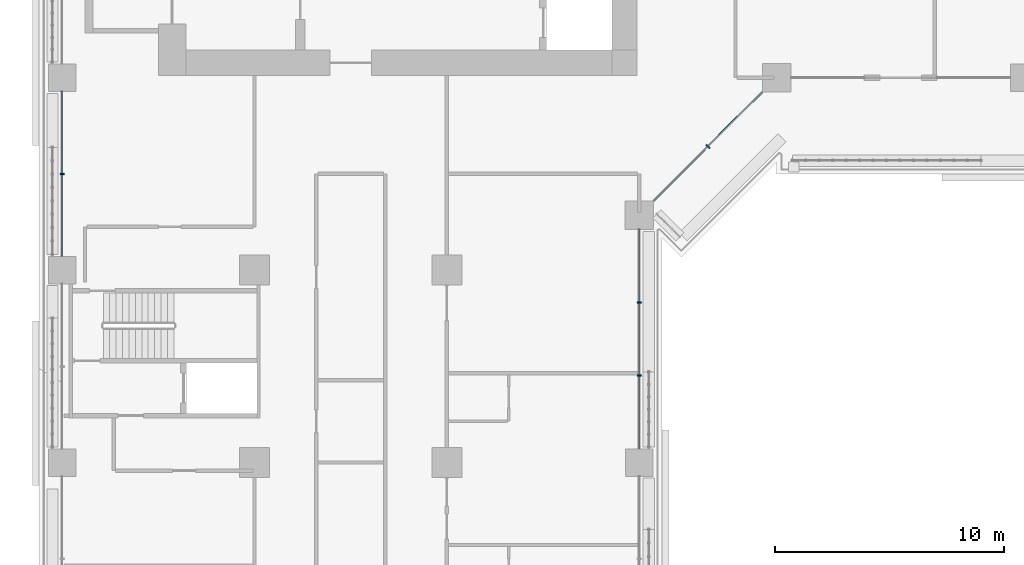
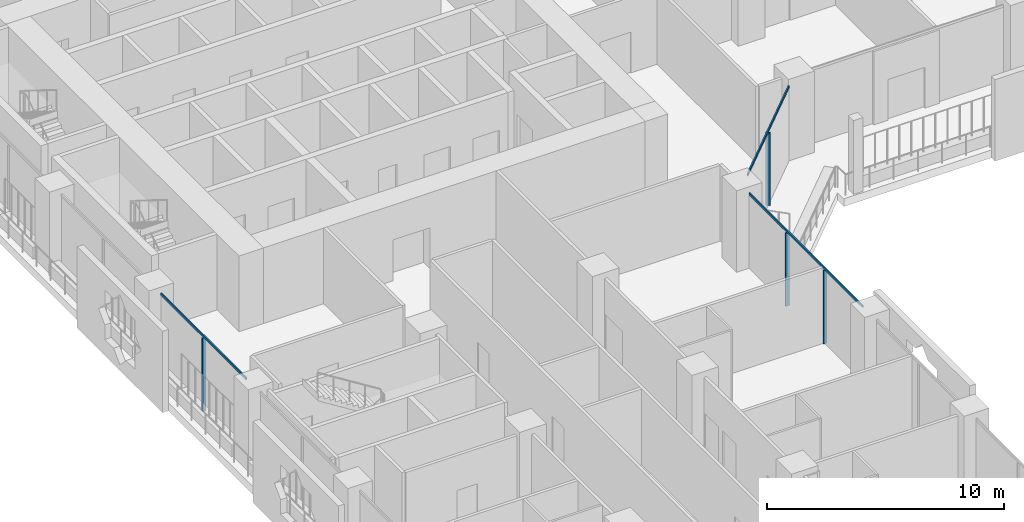
# One storey, part 4 of 28: 7 members, 3 elements without a shape of their own.
"""IFC4 building model written with IfcOpenShell, lengths in metres."""

from ifc_helpers import new_model, si_unit, direction, frame, origin, origin_2d, place, context, subcontext, project, spatial, rectangle, extrude, material, layer, layer_set, material_profile, profile_set, type_object, element, aggregate, save


model = new_model("IFC4")

# Units and contexts
model_context = context("Model", 3, precision=1e-05, world=origin(), true_north=direction((0.0, 1.0)))
body_context = subcontext(model_context, "Body", "Model", "MODEL_VIEW")
ifc_project = project(units=[si_unit("LENGTHUNIT", "METRE"), si_unit("AREAUNIT", "SQUARE_METRE"), si_unit("VOLUMEUNIT", "CUBIC_METRE"), si_unit("PLANEANGLEUNIT", "RADIAN"), si_unit("MASSUNIT", "GRAM", prefix="KILO")], contexts=[model_context])

# Site, building, storey
site_placement = place(None, origin())
site = spatial("IfcSite", under=ifc_project, at=site_placement, CompositionType="ELEMENT")
building_placement = place(site_placement, origin())
building = spatial("IfcBuilding", under=site, at=building_placement, Name="Kawkab Arch Medical Tower", CompositionType="ELEMENT")
storey_placement = place(building_placement, frame((0.0, 0.0, 68.60009765625)))
storey = spatial("IfcBuildingStorey", under=building, at=storey_placement, Name="L15", CompositionType="ELEMENT", Elevation=68.60009765625)

# Curtain wall, member
ifc_material_1 = material(Name="Bronze anodised aluminium curtain wall frame", Category="aluminium")
ifc_layer_1 = layer(ifc_material_1, 0.159912109375)
ifc_layer_set_1 = layer_set([ifc_layer_1], Name="Bronze anodised aluminium curtain wall frame")
curtain_wall_type_1 = type_object("IfcCurtainWallType", Name="CW1 ward curtain wall", PredefinedType="NOTDEFINED", material=ifc_layer_set_1)
placement = place(storey_placement, origin())
curtain_wall_1 = element("IfcCurtainWall", 1, at=placement, inside=storey, type_object=curtain_wall_type_1, Name="CW1 Ward curtain wall R01", PredefinedType="NOTDEFINED")
ifc_material_2 = material(Name="Bronze anodised aluminium curtain wall frame", Category="aluminium")
ifc_material_profile_1 = material_profile(ifc_material_2, rectangle(XDim=0.179931640625, YDim=0.06005859375, at=origin_2d()), Name="AL 60x180")
ifc_profile_set_1 = profile_set([ifc_material_profile_1], Name="Bronze anodised aluminium curtain wall frame")
member_type_1 = type_object("IfcMemberType", Name="CW1 mullion 60 x 180", PredefinedType="MULLION", material=ifc_profile_set_1)
member_1_placement = place(storey_placement, frame((0.0, -29.39990234375, 0.0), z_axis=(0.0, 0.0, 1.0), x_axis=(1.0, 0.0, 0.0)))
member_1 = element("IfcMember", 2, at=member_1_placement, type_object=member_type_1, Name="CW1 mullion 3.1", PredefinedType="MULLION", context=body_context, shape_type="SweptSolid", body=[
    extrude(rectangle(XDim=0.179931640625, YDim=0.06005859375, at=origin_2d()), origin(), (0.0, 0.0, 1.0), 3.77978515625),
])

# Curtain wall, members
curtain_wall_2 = element("IfcCurtainWall", 3, at=placement, inside=storey, type_object=curtain_wall_type_1, Name="CW1 Ward curtain wall R05", PredefinedType="NOTDEFINED")
member_2_placement = place(storey_placement, frame((25.199951171875, -38.208251953125, 0.0), z_axis=(0.0, 0.0, 1.0), x_axis=(-1.0, 0.0, 0.0)))
member_2 = element("IfcMember", 4, at=member_2_placement, type_object=member_type_1, Name="CW1 mullion 4.1", PredefinedType="MULLION", context=body_context, shape_type="SweptSolid", body=[
    extrude(rectangle(XDim=0.179931640625, YDim=0.06005859375, at=origin_2d()), origin(), (0.0, 0.0, 1.0), 3.77978515625),
])
member_3_placement = place(storey_placement, frame((25.199951171875, -35.0166015625, 0.0), z_axis=(0.0, 0.0, 1.0), x_axis=(-1.0, 0.0, 0.0)))
member_3 = element("IfcMember", 5, at=member_3_placement, type_object=member_type_1, Name="CW1 mullion 4.2", PredefinedType="MULLION", context=body_context, shape_type="SweptSolid", body=[
    extrude(rectangle(XDim=0.179931640625, YDim=0.06005859375, at=origin_2d()), origin(), (0.0, 0.0, 1.0), 3.77978515625),
])

# Member
ifc_material_3 = material(Name="Bronze anodised aluminium curtain wall frame", Category="aluminium")
ifc_material_profile_2 = material_profile(ifc_material_3, rectangle(XDim=0.06005859375, YDim=0.1201171875, at=origin_2d()), Name="AL 60x120")
ifc_profile_set_2 = profile_set([ifc_material_profile_2], Name="Bronze anodised aluminium curtain wall frame")
member_type_2 = type_object("IfcMemberType", Name="CW1 transom 120 x 60", PredefinedType="USERDEFINED", material=ifc_profile_set_2)
member_4_placement = place(storey_placement, frame((0.0, -25.800048828125, 3.83984375), z_axis=(0.0, -1.0, 0.0), x_axis=(1.0, 0.0, 0.0)))
member_4 = element("IfcMember", 6, at=member_4_placement, type_object=member_type_2, Name="CW1 transom 3", ObjectType="TRANSOM", PredefinedType="USERDEFINED", context=body_context, shape_type="SweptSolid", body=[
    extrude(rectangle(XDim=0.06005859375, YDim=0.1201171875, at=origin_2d()), origin(), (0.0, 0.0, 1.0), 7.199951171875),
])

aggregate(curtain_wall_1, [member_4, member_1])

member_5_placement = place(storey_placement, frame((25.199951171875, -41.39990234375, 3.83984375), z_axis=(0.0, 1.0, 0.0), x_axis=(-1.0, 0.0, 0.0)))
member_5 = element("IfcMember", 7, at=member_5_placement, type_object=member_type_2, Name="CW1 transom 4", ObjectType="TRANSOM", PredefinedType="USERDEFINED", context=body_context, shape_type="SweptSolid", body=[
    extrude(rectangle(XDim=0.06005859375, YDim=0.1201171875, at=origin_2d()), origin(), (0.0, 0.0, 1.0), 9.574951171875),
])

aggregate(curtain_wall_2, [member_5, member_2, member_3])

# Curtain wall, members
ifc_material_4 = material(Name="Bronze anodised aluminium curtain wall frame", Category="aluminium")
ifc_layer_2 = layer(ifc_material_4, 0.159912109375)
ifc_layer_set_2 = layer_set([ifc_layer_2], Name="Bronze anodised aluminium curtain wall frame")
curtain_wall_type_2 = type_object("IfcCurtainWallType", Name="CW2 chamfer curtain wall", PredefinedType="NOTDEFINED", material=ifc_layer_set_2)
curtain_wall_3 = element("IfcCurtainWall", 8, at=placement, inside=storey, type_object=curtain_wall_type_2, Name="CW2 Chamfer curtain wall R06", PredefinedType="NOTDEFINED")
ifc_material_5 = material(Name="Bronze anodised aluminium curtain wall frame", Category="aluminium")
ifc_material_profile_3 = material_profile(ifc_material_5, rectangle(XDim=0.199951171875, YDim=0.06005859375, at=origin_2d()), Name="AL 60x200")
ifc_profile_set_3 = profile_set([ifc_material_profile_3], Name="Bronze anodised aluminium curtain wall frame")
member_type_3 = type_object("IfcMemberType", Name="CW2 mullion 60 x 200", PredefinedType="MULLION", material=ifc_profile_set_3)
member_6_placement = place(storey_placement, frame((28.199951171875, -28.199951171875, 0.0), z_axis=(0.0, 0.0, 1.0), x_axis=(-0.707106781187, 0.707106781187, 0.0)))
member_6 = element("IfcMember", 9, at=member_6_placement, type_object=member_type_3, Name="CW2 mullion 1.1", PredefinedType="MULLION", context=body_context, shape_type="SweptSolid", body=[
    extrude(rectangle(XDim=0.199951171875, YDim=0.06005859375, at=origin_2d()), origin(), (0.0, 0.0, 1.0), 3.760009765625),
])
ifc_material_6 = material(Name="Bronze anodised aluminium curtain wall frame", Category="aluminium")
ifc_material_profile_4 = material_profile(ifc_material_6, rectangle(XDim=0.06005859375, YDim=0.139892578125, at=origin_2d()), Name="AL 60x140")
ifc_profile_set_4 = profile_set([ifc_material_profile_4], Name="Bronze anodised aluminium curtain wall frame")
member_type_4 = type_object("IfcMemberType", Name="CW2 transom 140 x 60", PredefinedType="USERDEFINED", material=ifc_profile_set_4)
member_7_placement = place(storey_placement, frame((25.824951171875, -30.574951171875, 3.829833984375), z_axis=(0.707106781187, 0.707106781187, 0.0), x_axis=(-0.707106781187, 0.707106781187, 0.0)))
member_7 = element("IfcMember", 10, at=member_7_placement, type_object=member_type_4, Name="CW2 transom 1", ObjectType="TRANSOM", PredefinedType="USERDEFINED", context=body_context, shape_type="SweptSolid", body=[
    extrude(rectangle(XDim=0.06005859375, YDim=0.139892578125, at=origin_2d()), origin(), (0.0, 0.0, 1.0), 6.717529296875),
])
aggregate(curtain_wall_3, [member_7, member_6])

save(model, "model.ifc")
